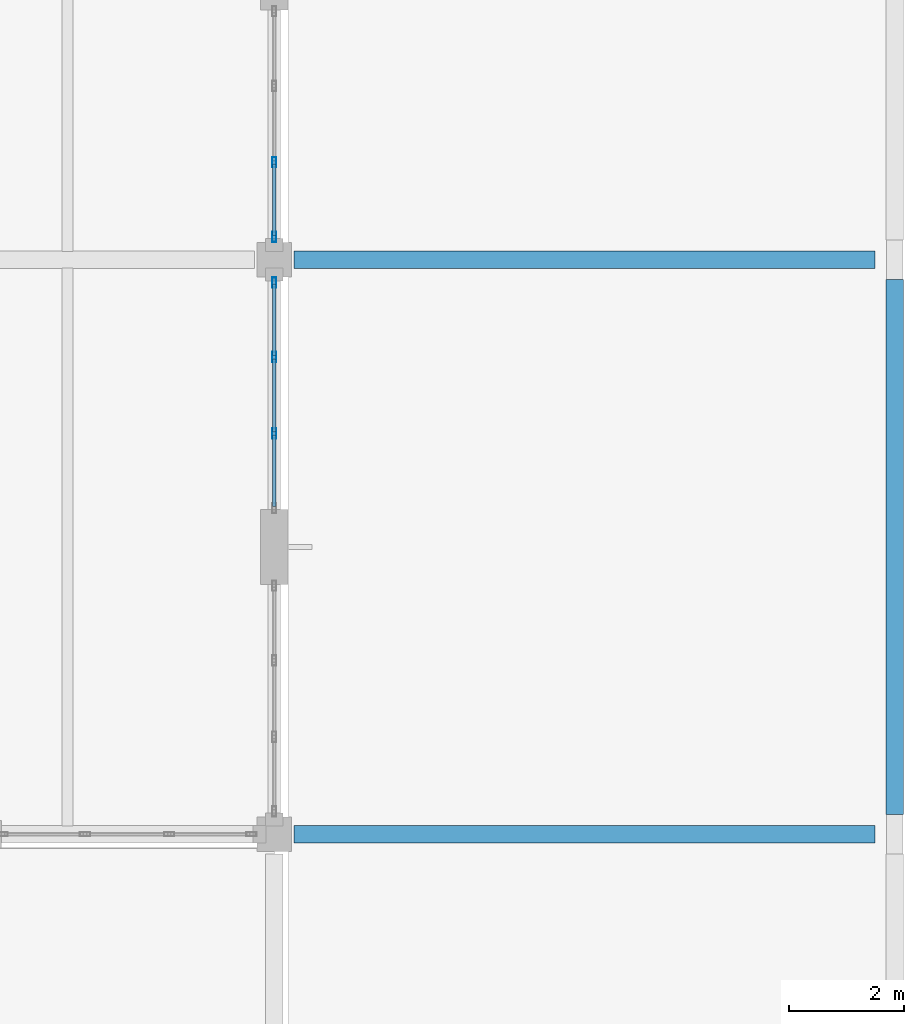
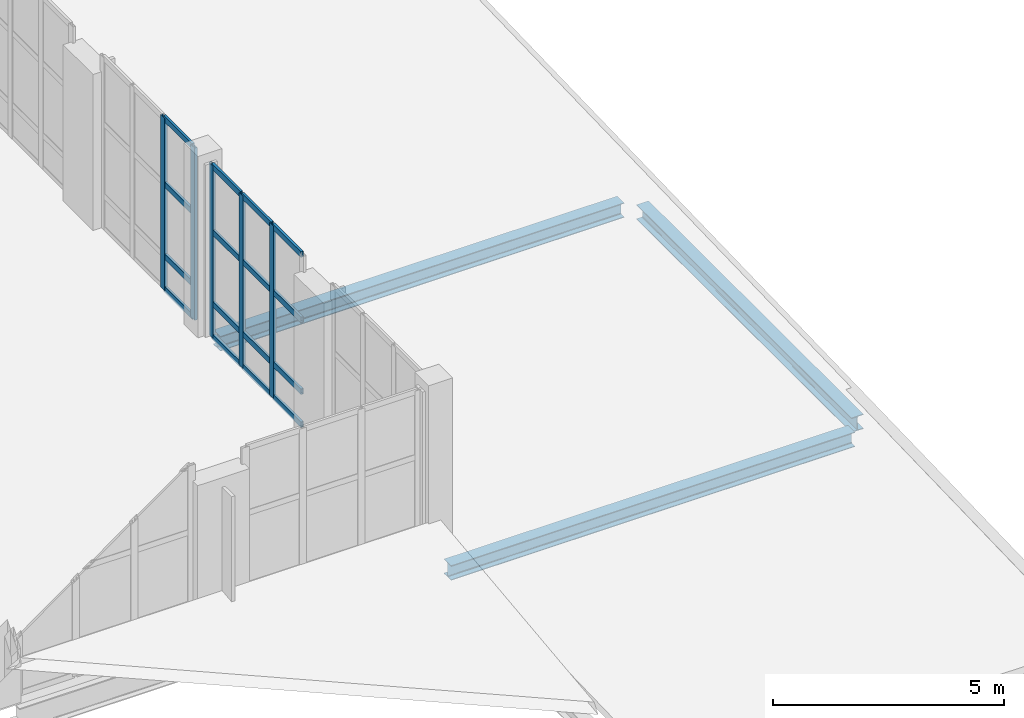
# One storey, part 59 of 100: 21 members, 3 beams, 2 elements without a shape of their own.
"""IFC4 building model written with IfcOpenShell, lengths in metres."""

from ifc_helpers import new_model, si_unit, direction, frame, origin, origin_2d, place, context, subcontext, project, spatial, hollow_rectangle, i_section, extrude, material, layer, layer_set, material_profile, profile_set, type_object, element, aggregate, save


model = new_model("IFC4")

# Units and contexts
model_context = context("Model", 3, precision=1e-05, world=origin(), true_north=direction((0.0, 1.0)))
body_context = subcontext(model_context, "Body", "Model", "MODEL_VIEW")
ifc_project = project(units=[si_unit("LENGTHUNIT", "METRE"), si_unit("AREAUNIT", "SQUARE_METRE"), si_unit("VOLUMEUNIT", "CUBIC_METRE"), si_unit("PLANEANGLEUNIT", "RADIAN"), si_unit("MASSUNIT", "GRAM", prefix="KILO")], contexts=[model_context])

# Site, building, storey
site_placement = place(None, origin())
site = spatial("IfcSite", under=ifc_project, at=site_placement, CompositionType="ELEMENT")
building_placement = place(site_placement, origin())
building = spatial("IfcBuilding", under=site, at=building_placement, Name="Tasgan Crest Museum", CompositionType="ELEMENT")
storey_placement = place(building_placement, frame((0.0, 0.0, 9.60009765625)))
storey = spatial("IfcBuildingStorey", under=building, at=storey_placement, Name="L02", CompositionType="ELEMENT", Elevation=9.60009765625)

# Beams
ifc_material_1 = material(Name="Steel S355J2", Category="steel")
ifc_material_profile_1 = material_profile(ifc_material_1, i_section(OverallWidth=0.300048828125, OverallDepth=0.389892578125, WebThickness=0.010986328125, FlangeThickness=0.01904296875, FilletRadius=0.027099609375, at=origin_2d()), Name="HEA 400")
ifc_profile_set_1 = profile_set([ifc_material_profile_1], Name="Steel S355J2")
beam_type = type_object("IfcBeamType", Name="BM-G-HEA400", PredefinedType="BEAM", material=ifc_profile_set_1)
for number, where, z_axis, x_axis, name in (
    (1, (140.74609375, 20.0, -0.47509765625), (1.0, 0.0, 0.0), (0.0, 1.0, 0.0), "East lab lower step roof girder C 140.4"),
    (2, (140.74609375, 30.0, -0.47509765625), (1.0, 0.0, 0.0), (0.0, 1.0, 0.0), "East lab lower step roof girder D 140.4"),
):
    element("IfcBeam", number, at=place(storey_placement, frame(where, z_axis=z_axis, x_axis=x_axis)), inside=storey, type_object=beam_type, Name=name, PredefinedType="BEAM", context=body_context, shape_type="SweptSolid", body=[
        extrude(i_section(OverallWidth=0.300048828125, OverallDepth=0.389892578125, WebThickness=0.010986328125, FlangeThickness=0.01904296875, FilletRadius=0.027099609375, at=origin_2d()), origin(), (0.0, 0.0, 1.0), 10.10791015625),
    ])
beam_placement = place(storey_placement, frame((151.199951171875, 20.344970703125, -0.47509765625), z_axis=(0.0, 1.0, 0.0), x_axis=(-1.0, 0.0, 0.0)))
element("IfcBeam", 3, at=beam_placement, inside=storey, type_object=beam_type, Name="East lab lower step roof beam 15 20.0", PredefinedType="BEAM", context=body_context, shape_type="SweptSolid", body=[
    extrude(i_section(OverallWidth=0.300048828125, OverallDepth=0.389892578125, WebThickness=0.010986328125, FlangeThickness=0.01904296875, FilletRadius=0.027099609375, at=origin_2d()), origin(), (0.0, 0.0, 1.0), 9.31005859375),
])

# Curtain wall, members
ifc_material_2 = material(Name="Triple-Glazed Aluminium Curtain Wall", Category="aluminium")
ifc_layer = layer(ifc_material_2, 0.179931640625, Name="CW-GAL-Y-48")
ifc_layer_set = layer_set([ifc_layer], Name="Triple-Glazed Aluminium Curtain Wall")
curtain_wall_type = type_object("IfcCurtainWallType", Name="CW-GAL-Y-48", PredefinedType="NOTDEFINED", material=ifc_layer_set)
curtain_wall_1_placement = place(storey_placement, origin())
curtain_wall_1 = element("IfcCurtainWall", 4, at=curtain_wall_1_placement, inside=storey, type_object=curtain_wall_type, Name="Curtain wall L02 072", PredefinedType="NOTDEFINED")
ifc_material_3 = material(Name="Anodised Aluminium", Category="aluminium")
ifc_material_profile_2 = material_profile(ifc_material_3, hollow_rectangle(XDim=0.06494140625, YDim=0.179931640625, WallThickness=0.0048828125, at=origin_2d()), Name="ALU MULLION 180x65x5")
ifc_profile_set_2 = profile_set([ifc_material_profile_2], Name="Anodised Aluminium")
member_type_1 = type_object("IfcMemberType", Name="CW-MULLION-180", PredefinedType="MULLION", material=ifc_profile_set_2)
member_1_placement = place(storey_placement, frame((140.39990234375, 26.97509765625, 0.0), z_axis=(0.0, 0.0, 1.0), x_axis=(-1.0, 0.0, 0.0)))
member_1 = element("IfcMember", 5, at=member_1_placement, type_object=member_type_1, Name="CW16 mullion 2", PredefinedType="MULLION", context=body_context, shape_type="SweptSolid", body=[
    extrude(hollow_rectangle(XDim=0.06494140625, YDim=0.179931640625, WallThickness=0.0048828125, at=origin_2d()), origin(), (0.0, 0.0, 1.0), 4.559814453125),
])
member_2_placement = place(storey_placement, frame((140.39990234375, 28.304931640625, 0.0), z_axis=(0.0, 0.0, 1.0), x_axis=(-1.0, 0.0, 0.0)))
member_2 = element("IfcMember", 6, at=member_2_placement, type_object=member_type_1, Name="CW16 mullion 3", PredefinedType="MULLION", context=body_context, shape_type="SweptSolid", body=[
    extrude(hollow_rectangle(XDim=0.06494140625, YDim=0.179931640625, WallThickness=0.0048828125, at=origin_2d()), origin(), (0.0, 0.0, 1.0), 4.559814453125),
])
member_3_placement = place(storey_placement, frame((140.39990234375, 29.60498046875, 0.0), z_axis=(0.0, 0.0, 1.0), x_axis=(-1.0, 0.0, 0.0)))
member_3 = element("IfcMember", 7, at=member_3_placement, type_object=member_type_1, Name="CW16 mullion 4", PredefinedType="MULLION", context=body_context, shape_type="SweptSolid", body=[
    extrude(hollow_rectangle(XDim=0.06494140625, YDim=0.179931640625, WallThickness=0.0048828125, at=origin_2d()), origin(), (0.0, 0.0, 1.0), 4.559814453125),
])

curtain_wall_2_placement = place(storey_placement, origin())
curtain_wall_2 = element("IfcCurtainWall", 8, at=curtain_wall_2_placement, inside=storey, type_object=curtain_wall_type, Name="Curtain wall L02 073", PredefinedType="NOTDEFINED")
member_4_placement = place(storey_placement, frame((140.39990234375, 30.39501953125, 0.0), z_axis=(0.0, 0.0, 1.0), x_axis=(-1.0, 0.0, 0.0)))
member_4 = element("IfcMember", 9, at=member_4_placement, type_object=member_type_1, Name="CW16 mullion 1", PredefinedType="MULLION", context=body_context, shape_type="SweptSolid", body=[
    extrude(hollow_rectangle(XDim=0.06494140625, YDim=0.179931640625, WallThickness=0.0048828125, at=origin_2d()), origin(), (0.0, 0.0, 1.0), 4.559814453125),
])
member_5_placement = place(storey_placement, frame((140.39990234375, 31.695068359375, 0.0), z_axis=(0.0, 0.0, 1.0), x_axis=(-1.0, 0.0, 0.0)))
member_5 = element("IfcMember", 10, at=member_5_placement, type_object=member_type_1, Name="CW16 mullion 2", PredefinedType="MULLION", context=body_context, shape_type="SweptSolid", body=[
    extrude(hollow_rectangle(XDim=0.06494140625, YDim=0.179931640625, WallThickness=0.0048828125, at=origin_2d()), origin(), (0.0, 0.0, 1.0), 4.559814453125),
])

# Member
ifc_material_4 = material(Name="Anodised Aluminium", Category="aluminium")
ifc_material_profile_3 = material_profile(ifc_material_4, hollow_rectangle(XDim=0.06005859375, YDim=0.14990234375, WallThickness=0.0048828125, at=origin_2d()), Name="ALU TRANSOM 150x60x5")
ifc_profile_set_3 = profile_set([ifc_material_profile_3], Name="Anodised Aluminium")
member_type_2 = type_object("IfcMemberType", Name="CW-TRANSOM-150", PredefinedType="USERDEFINED", material=ifc_profile_set_3)
member_6_placement = place(storey_placement, frame((140.39990234375, 25.705078125, 0.02978515625), z_axis=(0.0, 1.0, 0.0), x_axis=(-1.0, 0.0, 0.0)))
member_6 = element("IfcMember", 11, at=member_6_placement, type_object=member_type_2, Name="CW16 transom 1.1", ObjectType="TRANSOM", PredefinedType="USERDEFINED", context=body_context, shape_type="SweptSolid", body=[
    extrude(hollow_rectangle(XDim=0.06005859375, YDim=0.14990234375, WallThickness=0.0048828125, at=origin_2d()), origin(), (0.0, 0.0, 1.0), 1.239990234375),
])

member_7_placement = place(storey_placement, frame((140.39990234375, 25.705078125, 0.89990234375), z_axis=(0.0, 1.0, 0.0), x_axis=(-1.0, 0.0, 0.0)))
member_7 = element("IfcMember", 12, at=member_7_placement, type_object=member_type_2, Name="CW16 transom 1.2", ObjectType="TRANSOM", PredefinedType="USERDEFINED", context=body_context, shape_type="SweptSolid", body=[
    extrude(hollow_rectangle(XDim=0.06005859375, YDim=0.14990234375, WallThickness=0.0048828125, at=origin_2d()), origin(), (0.0, 0.0, 1.0), 1.239990234375),
])

member_8_placement = place(storey_placement, frame((140.39990234375, 25.705078125, 2.7998046875), z_axis=(0.0, 1.0, 0.0), x_axis=(-1.0, 0.0, 0.0)))
member_8 = element("IfcMember", 13, at=member_8_placement, type_object=member_type_2, Name="CW16 transom 1.3", ObjectType="TRANSOM", PredefinedType="USERDEFINED", context=body_context, shape_type="SweptSolid", body=[
    extrude(hollow_rectangle(XDim=0.06005859375, YDim=0.14990234375, WallThickness=0.0048828125, at=origin_2d()), origin(), (0.0, 0.0, 1.0), 1.239990234375),
])

member_9_placement = place(storey_placement, frame((140.39990234375, 25.705078125, 4.52978515625), z_axis=(0.0, 1.0, 0.0), x_axis=(-1.0, 0.0, 0.0)))
member_9 = element("IfcMember", 14, at=member_9_placement, type_object=member_type_2, Name="CW16 transom 1.4", ObjectType="TRANSOM", PredefinedType="USERDEFINED", context=body_context, shape_type="SweptSolid", body=[
    extrude(hollow_rectangle(XDim=0.06005859375, YDim=0.14990234375, WallThickness=0.0048828125, at=origin_2d()), origin(), (0.0, 0.0, 1.0), 1.239990234375),
])

member_10_placement = place(storey_placement, frame((140.39990234375, 27.0048828125, 0.02978515625), z_axis=(0.0, 1.0, 0.0), x_axis=(-1.0, 0.0, 0.0)))
member_10 = element("IfcMember", 15, at=member_10_placement, type_object=member_type_2, Name="CW16 transom 2.1", ObjectType="TRANSOM", PredefinedType="USERDEFINED", context=body_context, shape_type="SweptSolid", body=[
    extrude(hollow_rectangle(XDim=0.06005859375, YDim=0.14990234375, WallThickness=0.0048828125, at=origin_2d()), origin(), (0.0, 0.0, 1.0), 1.27001953125),
])

member_11_placement = place(storey_placement, frame((140.39990234375, 27.0048828125, 0.89990234375), z_axis=(0.0, 1.0, 0.0), x_axis=(-1.0, 0.0, 0.0)))
member_11 = element("IfcMember", 16, at=member_11_placement, type_object=member_type_2, Name="CW16 transom 2.2", ObjectType="TRANSOM", PredefinedType="USERDEFINED", context=body_context, shape_type="SweptSolid", body=[
    extrude(hollow_rectangle(XDim=0.06005859375, YDim=0.14990234375, WallThickness=0.0048828125, at=origin_2d()), origin(), (0.0, 0.0, 1.0), 1.27001953125),
])

member_12_placement = place(storey_placement, frame((140.39990234375, 27.0048828125, 2.7998046875), z_axis=(0.0, 1.0, 0.0), x_axis=(-1.0, 0.0, 0.0)))
member_12 = element("IfcMember", 17, at=member_12_placement, type_object=member_type_2, Name="CW16 transom 2.3", ObjectType="TRANSOM", PredefinedType="USERDEFINED", context=body_context, shape_type="SweptSolid", body=[
    extrude(hollow_rectangle(XDim=0.06005859375, YDim=0.14990234375, WallThickness=0.0048828125, at=origin_2d()), origin(), (0.0, 0.0, 1.0), 1.27001953125),
])

member_13_placement = place(storey_placement, frame((140.39990234375, 27.0048828125, 4.52978515625), z_axis=(0.0, 1.0, 0.0), x_axis=(-1.0, 0.0, 0.0)))
member_13 = element("IfcMember", 18, at=member_13_placement, type_object=member_type_2, Name="CW16 transom 2.4", ObjectType="TRANSOM", PredefinedType="USERDEFINED", context=body_context, shape_type="SweptSolid", body=[
    extrude(hollow_rectangle(XDim=0.06005859375, YDim=0.14990234375, WallThickness=0.0048828125, at=origin_2d()), origin(), (0.0, 0.0, 1.0), 1.27001953125),
])

member_14_placement = place(storey_placement, frame((140.39990234375, 28.3349609375, 0.02978515625), z_axis=(0.0, 1.0, 0.0), x_axis=(-1.0, 0.0, 0.0)))
member_14 = element("IfcMember", 19, at=member_14_placement, type_object=member_type_2, Name="CW16 transom 3.1", ObjectType="TRANSOM", PredefinedType="USERDEFINED", context=body_context, shape_type="SweptSolid", body=[
    extrude(hollow_rectangle(XDim=0.06005859375, YDim=0.14990234375, WallThickness=0.0048828125, at=origin_2d()), origin(), (0.0, 0.0, 1.0), 1.239990234375),
])

member_15_placement = place(storey_placement, frame((140.39990234375, 28.3349609375, 0.89990234375), z_axis=(0.0, 1.0, 0.0), x_axis=(-1.0, 0.0, 0.0)))
member_15 = element("IfcMember", 20, at=member_15_placement, type_object=member_type_2, Name="CW16 transom 3.2", ObjectType="TRANSOM", PredefinedType="USERDEFINED", context=body_context, shape_type="SweptSolid", body=[
    extrude(hollow_rectangle(XDim=0.06005859375, YDim=0.14990234375, WallThickness=0.0048828125, at=origin_2d()), origin(), (0.0, 0.0, 1.0), 1.239990234375),
])

member_16_placement = place(storey_placement, frame((140.39990234375, 28.3349609375, 2.7998046875), z_axis=(0.0, 1.0, 0.0), x_axis=(-1.0, 0.0, 0.0)))
member_16 = element("IfcMember", 21, at=member_16_placement, type_object=member_type_2, Name="CW16 transom 3.3", ObjectType="TRANSOM", PredefinedType="USERDEFINED", context=body_context, shape_type="SweptSolid", body=[
    extrude(hollow_rectangle(XDim=0.06005859375, YDim=0.14990234375, WallThickness=0.0048828125, at=origin_2d()), origin(), (0.0, 0.0, 1.0), 1.239990234375),
])

member_17_placement = place(storey_placement, frame((140.39990234375, 28.3349609375, 4.52978515625), z_axis=(0.0, 1.0, 0.0), x_axis=(-1.0, 0.0, 0.0)))
member_17 = element("IfcMember", 22, at=member_17_placement, type_object=member_type_2, Name="CW16 transom 3.4", ObjectType="TRANSOM", PredefinedType="USERDEFINED", context=body_context, shape_type="SweptSolid", body=[
    extrude(hollow_rectangle(XDim=0.06005859375, YDim=0.14990234375, WallThickness=0.0048828125, at=origin_2d()), origin(), (0.0, 0.0, 1.0), 1.239990234375),
])

aggregate(curtain_wall_1, [member_1, member_2, member_3, member_6, member_7, member_8, member_9, member_10, member_11, member_12, member_13, member_14, member_15, member_16, member_17])

member_18_placement = place(storey_placement, frame((140.39990234375, 30.425048828125, 0.02978515625), z_axis=(0.0, 1.0, 0.0), x_axis=(-1.0, 0.0, 0.0)))
member_18 = element("IfcMember", 23, at=member_18_placement, type_object=member_type_2, Name="CW16 transom 1.1", ObjectType="TRANSOM", PredefinedType="USERDEFINED", context=body_context, shape_type="SweptSolid", body=[
    extrude(hollow_rectangle(XDim=0.06005859375, YDim=0.14990234375, WallThickness=0.0048828125, at=origin_2d()), origin(), (0.0, 0.0, 1.0), 1.239990234375),
])

member_19_placement = place(storey_placement, frame((140.39990234375, 30.425048828125, 0.89990234375), z_axis=(0.0, 1.0, 0.0), x_axis=(-1.0, 0.0, 0.0)))
member_19 = element("IfcMember", 24, at=member_19_placement, type_object=member_type_2, Name="CW16 transom 1.2", ObjectType="TRANSOM", PredefinedType="USERDEFINED", context=body_context, shape_type="SweptSolid", body=[
    extrude(hollow_rectangle(XDim=0.06005859375, YDim=0.14990234375, WallThickness=0.0048828125, at=origin_2d()), origin(), (0.0, 0.0, 1.0), 1.239990234375),
])

member_20_placement = place(storey_placement, frame((140.39990234375, 30.425048828125, 2.7998046875), z_axis=(0.0, 1.0, 0.0), x_axis=(-1.0, 0.0, 0.0)))
member_20 = element("IfcMember", 25, at=member_20_placement, type_object=member_type_2, Name="CW16 transom 1.3", ObjectType="TRANSOM", PredefinedType="USERDEFINED", context=body_context, shape_type="SweptSolid", body=[
    extrude(hollow_rectangle(XDim=0.06005859375, YDim=0.14990234375, WallThickness=0.0048828125, at=origin_2d()), origin(), (0.0, 0.0, 1.0), 1.239990234375),
])

member_21_placement = place(storey_placement, frame((140.39990234375, 30.425048828125, 4.52978515625), z_axis=(0.0, 1.0, 0.0), x_axis=(-1.0, 0.0, 0.0)))
member_21 = element("IfcMember", 26, at=member_21_placement, type_object=member_type_2, Name="CW16 transom 1.4", ObjectType="TRANSOM", PredefinedType="USERDEFINED", context=body_context, shape_type="SweptSolid", body=[
    extrude(hollow_rectangle(XDim=0.06005859375, YDim=0.14990234375, WallThickness=0.0048828125, at=origin_2d()), origin(), (0.0, 0.0, 1.0), 1.239990234375),
])

aggregate(curtain_wall_2, [member_4, member_5, member_18, member_19, member_20, member_21])

save(model, "model.ifc")
